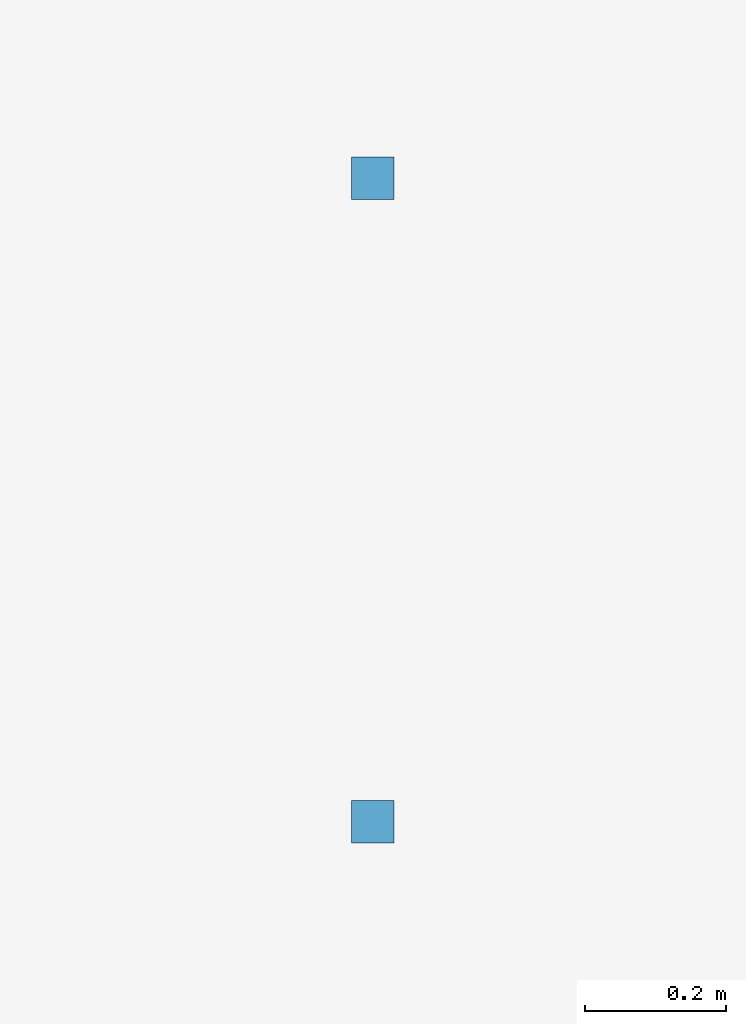
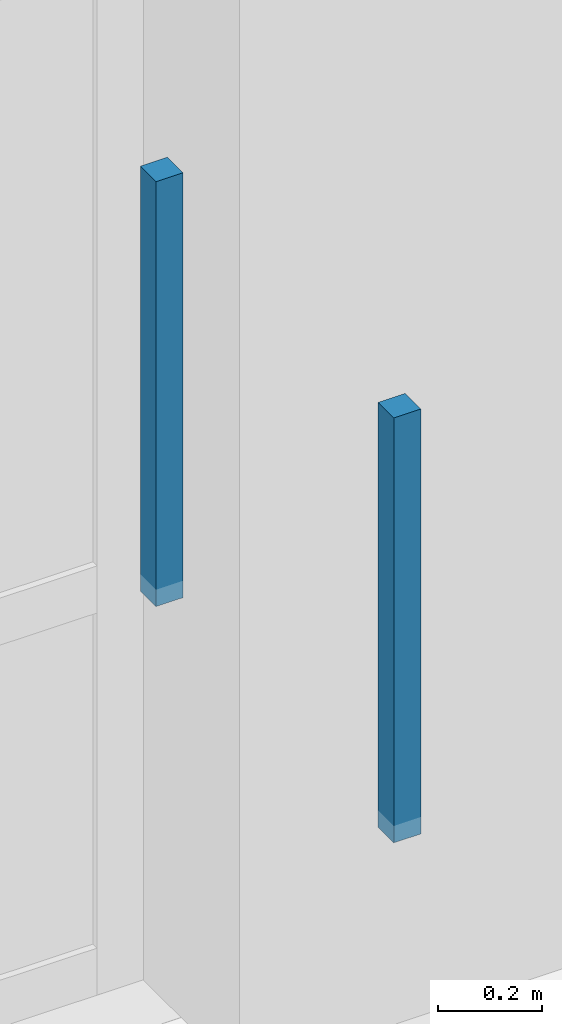
# One storey, part 17 of 36: 2 discrete accessories.
"""IFC4 building model written with IfcOpenShell, lengths in metres."""

from ifc_helpers import new_model, si_unit, direction, frame, origin, origin_2d, place, context, subcontext, project, spatial, rectangle, extrude, material, type_object, element, save


model = new_model("IFC4")

# Units and contexts
model_context = context("Model", 3, precision=1e-05, world=origin(), true_north=direction((0.0, 1.0)))
body_context = subcontext(model_context, "Body", "Model", "MODEL_VIEW")
ifc_project = project(units=[si_unit("LENGTHUNIT", "METRE"), si_unit("AREAUNIT", "SQUARE_METRE"), si_unit("VOLUMEUNIT", "CUBIC_METRE"), si_unit("PLANEANGLEUNIT", "RADIAN"), si_unit("MASSUNIT", "GRAM", prefix="KILO")], contexts=[model_context])

# Site, building, storey
site_placement = place(None, origin())
site = spatial("IfcSite", under=ifc_project, at=site_placement, CompositionType="ELEMENT")
building_placement = place(site_placement, origin())
building = spatial("IfcBuilding", under=site, at=building_placement, Name="Telukmera Botanical Conservatory", CompositionType="ELEMENT")
storey_placement = place(building_placement, frame((0.0, 0.0, 33.0)))
storey = spatial("IfcBuildingStorey", under=building, at=storey_placement, Name="L07", CompositionType="ELEMENT", Elevation=33.0)

# Discrete accessories
ifc_material = material(Name="Steel S355", Category="steel")
discrete_accessory_type = type_object("IfcDiscreteAccessoryType", Name="ACC-CEIL-HGR", PredefinedType="BRACKET", material=ifc_material)
for number, where, z_axis, x_axis, name in (
    (1, (73.511962890625, 38.862548828125, 3.31005859375), (0.0, 0.0, 1.0), (1.0, 0.0, 0.0), "L07 Suspended Ceiling Hanger Rod 028-1"),
    (2, (73.511962890625, 39.77490234375, 3.31005859375), (0.0, 0.0, 1.0), (1.0, 0.0, 0.0), "L07 Suspended Ceiling Hanger Rod 028-2"),
):
    element("IfcDiscreteAccessory", number, at=place(storey_placement, frame(where, z_axis=z_axis, x_axis=x_axis)), inside=storey, type_object=discrete_accessory_type, Name=name, PredefinedType="BRACKET", context=body_context, shape_type="SweptSolid", body=[
        extrude(rectangle(XDim=0.06005859375, YDim=0.06005859375, at=origin_2d()), origin(), (0.0, 0.0, 1.0), 0.9951171875),
    ])

save(model, "model.ifc")
